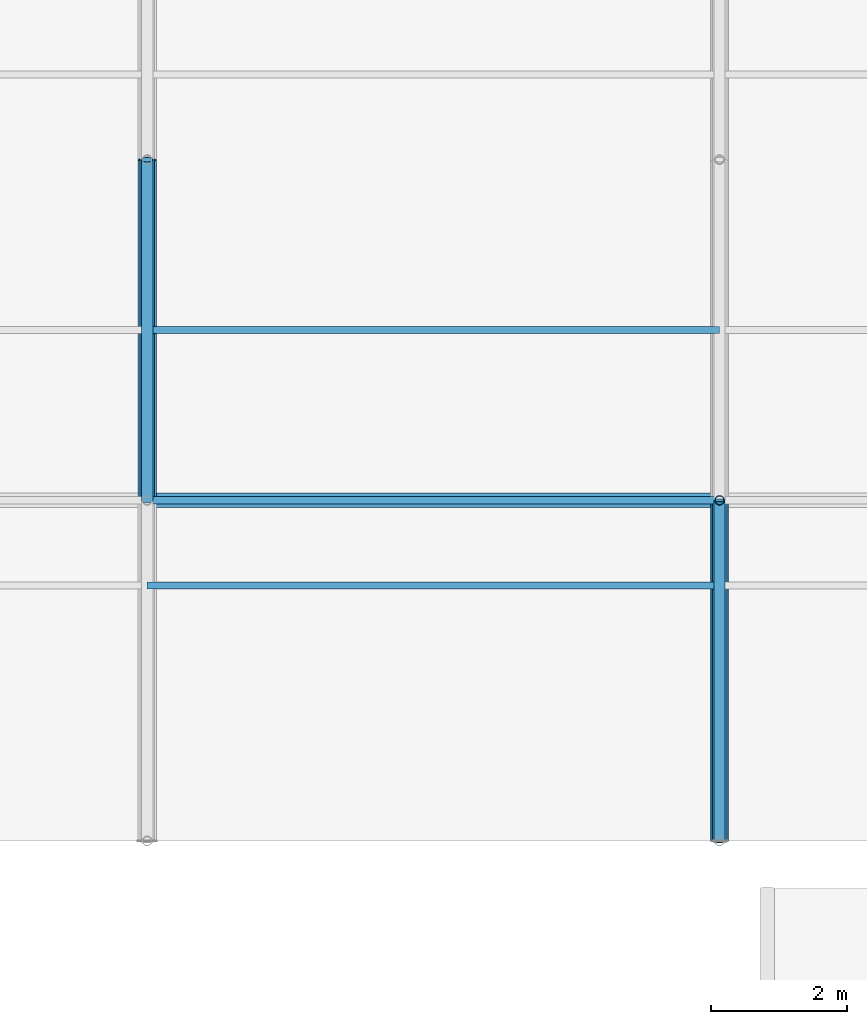
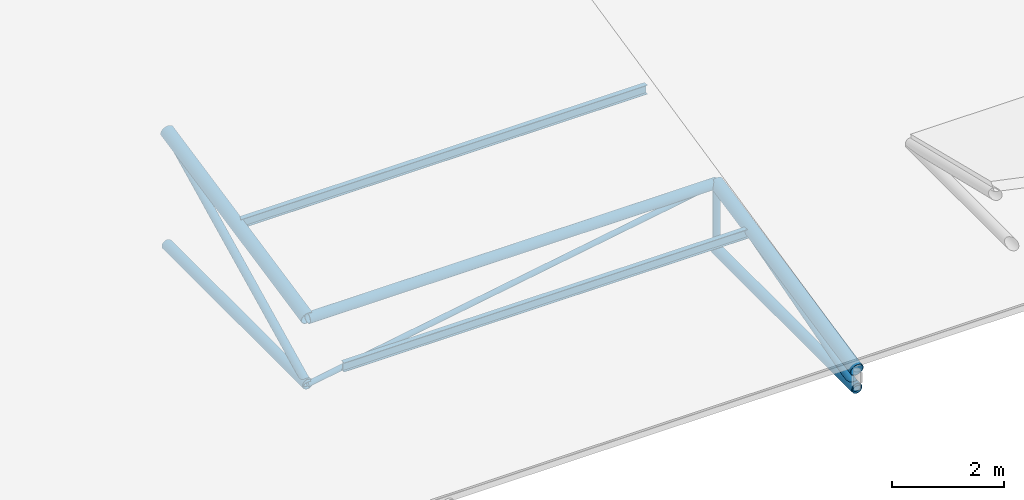
# One storey, part 70 of 194: 9 members, 2 beams.
"""IFC4 building model written with IfcOpenShell, lengths in metres."""

from ifc_helpers import new_model, si_unit, direction, frame, origin, origin_2d, place, context, subcontext, project, spatial, hollow_circle, i_section, extrude, material, material_profile, profile_set, type_object, element, save


model = new_model("IFC4")

# Units and contexts
model_context = context("Model", 3, precision=1e-05, world=origin(), true_north=direction((0.0, 1.0)))
body_context = subcontext(model_context, "Body", "Model", "MODEL_VIEW")
ifc_project = project(units=[si_unit("LENGTHUNIT", "METRE"), si_unit("AREAUNIT", "SQUARE_METRE"), si_unit("VOLUMEUNIT", "CUBIC_METRE"), si_unit("PLANEANGLEUNIT", "RADIAN"), si_unit("MASSUNIT", "GRAM", prefix="KILO")], contexts=[model_context])

# Site, building, storey
site_placement = place(None, origin())
site = spatial("IfcSite", under=ifc_project, at=site_placement, CompositionType="ELEMENT")
building_placement = place(site_placement, origin())
building = spatial("IfcBuilding", under=site, at=building_placement, Name="Kazenagashi Tramway Depot", CompositionType="ELEMENT")
storey_placement = place(building_placement, frame((0.0, 0.0, 23.7)))
storey = spatial("IfcBuildingStorey", under=building, at=storey_placement, Name="ROOF", CompositionType="ELEMENT", Elevation=23.7)

# Beams
ifc_material_1 = material(Name="Steel SN400B", Category="steel")
ifc_material_profile_1 = material_profile(ifc_material_1, i_section(OverallWidth=0.1, OverallDepth=0.2, WebThickness=0.0055, FlangeThickness=0.008, at=origin_2d()), Name="H-200x100x5.5x8")
ifc_profile_set_1 = profile_set([ifc_material_profile_1], Name="Steel SN400B")
beam_type = type_object("IfcBeamType", Name="PR-01", PredefinedType="USERDEFINED", material=ifc_profile_set_1)
for number, where, z_axis, x_axis, name in (
    (1, (137.2, 73.75, -12.955), (1.0, 0.0, 0.0), (0.0, 1.0, 0.0), "Beam PR-01 BM-2029"),
    (2, (137.2, 77.5, -12.13), (1.0, 0.0, 0.0), (0.0, 1.0, 0.0), "Beam PR-01 BM-2047"),
):
    element("IfcBeam", number, at=place(storey_placement, frame(where, z_axis=z_axis, x_axis=x_axis)), inside=storey, type_object=beam_type, Name=name, ObjectType="PURLIN", PredefinedType="USERDEFINED", context=body_context, shape_type="SweptSolid", body=[
        extrude(i_section(OverallWidth=0.1, OverallDepth=0.2, WebThickness=0.0055, FlangeThickness=0.008, at=origin_2d()), origin(), (0.0, 0.0, 1.0), 8.4),
    ])

# Members
ifc_material_2 = material(Name="Steel STK490", Category="steel")
ifc_material_profile_2 = material_profile(ifc_material_2, hollow_circle(Radius=0.1337, WallThickness=0.0093, at=origin_2d()), Name="CHS-267.4x9.3")
ifc_profile_set_2 = profile_set([ifc_material_profile_2], Name="Steel STK490")
member_type_1 = type_object("IfcMemberType", Name="TC-01", PredefinedType="CHORD", material=ifc_profile_set_2)
member_1_placement = place(storey_placement, frame((137.2, 75.0, -12.667), z_axis=(0.0, 0.979279174591, 0.202514933305), x_axis=(-1.0, 0.0, 0.0)))
element("IfcMember", 3, at=member_1_placement, inside=storey, type_object=member_type_1, Name="Tubular Space Frame TC-01 MEM-0675", PredefinedType="CHORD", context=body_context, shape_type="SweptSolid", body=[
    extrude(hollow_circle(Radius=0.1337, WallThickness=0.0093, at=origin_2d()), origin(), (0.0, 0.0, 1.0), 5.105796),
])
member_2_placement = place(storey_placement, frame((145.6, 70.0, -13.7), z_axis=(0.0, 0.979317999984, 0.202327098797), x_axis=(-1.0, 0.0, 0.0)))
element("IfcMember", 4, at=member_2_placement, inside=storey, type_object=member_type_1, Name="Tubular Space Frame TC-01 MEM-0733", PredefinedType="CHORD", context=body_context, shape_type="SweptSolid", body=[
    extrude(hollow_circle(Radius=0.1337, WallThickness=0.0093, at=origin_2d()), origin(), (0.0, 0.0, 1.0), 5.105594),
])
ifc_material_profile_3 = material_profile(ifc_material_2, hollow_circle(Radius=0.10815, WallThickness=0.0082, at=origin_2d()), Name="CHS-216.3x8.2")
ifc_profile_set_3 = profile_set([ifc_material_profile_3], Name="Steel STK490")
member_type_2 = type_object("IfcMemberType", Name="TC-02", PredefinedType="CHORD", material=ifc_profile_set_3)
member_3_placement = place(storey_placement, frame((137.2, 75.0, -14.1), z_axis=(0.0, 1.0, 0.0), x_axis=(-1.0, 0.0, 0.0)))
element("IfcMember", 5, at=member_3_placement, inside=storey, type_object=member_type_2, Name="Tubular Space Frame TC-02 MEM-0676", PredefinedType="CHORD", context=body_context, shape_type="SweptSolid", body=[
    extrude(hollow_circle(Radius=0.10815, WallThickness=0.0082, at=origin_2d()), origin(), (0.0, 0.0, 1.0), 5.0),
])
member_4_placement = place(storey_placement, frame((137.2, 75.0, -12.667), z_axis=(1.0, 0.0, 0.0), x_axis=(0.0, 1.0, 0.0)))
element("IfcMember", 6, at=member_4_placement, inside=storey, type_object=member_type_2, Name="Tubular Space Frame TC-02 MEM-0697", PredefinedType="CHORD", context=body_context, shape_type="SweptSolid", body=[
    extrude(hollow_circle(Radius=0.10815, WallThickness=0.0082, at=origin_2d()), origin(), (0.0, 0.0, 1.0), 8.4),
])
member_5_placement = place(storey_placement, frame((145.6, 70.0, -14.1), z_axis=(0.0, 1.0, 0.0), x_axis=(-1.0, 0.0, 0.0)))
element("IfcMember", 7, at=member_5_placement, inside=storey, type_object=member_type_2, Name="Tubular Space Frame TC-02 MEM-0734", PredefinedType="CHORD", context=body_context, shape_type="SweptSolid", body=[
    extrude(hollow_circle(Radius=0.10815, WallThickness=0.0082, at=origin_2d()), origin(), (0.0, 0.0, 1.0), 5.0),
])
ifc_material_profile_4 = material_profile(ifc_material_2, hollow_circle(Radius=0.0826, WallThickness=0.0071, at=origin_2d()), Name="CHS-165.2x7.1")
ifc_profile_set_4 = profile_set([ifc_material_profile_4], Name="Steel STK490")
member_type_3 = type_object("IfcMemberType", Name="TS-01", PredefinedType="STRUT", material=ifc_profile_set_4)
member_6_placement = place(storey_placement, frame((137.2, 75.0, -14.1), z_axis=(0.0, 0.896782162482, 0.442472318969), x_axis=(-1.0, 0.0, 0.0)))
element("IfcMember", 8, at=member_6_placement, inside=storey, type_object=member_type_3, Name="Tubular Space Frame TS-01 MEM-0677", PredefinedType="STRUT", context=body_context, shape_type="SweptSolid", body=[
    extrude(hollow_circle(Radius=0.0826, WallThickness=0.0071, at=origin_2d()), origin(), (0.0, 0.0, 1.0), 5.57549),
])
member_7_placement = place(storey_placement, frame((145.6, 70.0, -14.1), z_axis=(0.0, 0.961298717795, 0.27550821252), x_axis=(-1.0, 0.0, 0.0)))
element("IfcMember", 9, at=member_7_placement, inside=storey, type_object=member_type_3, Name="Tubular Space Frame TS-01 MEM-0735", PredefinedType="STRUT", context=body_context, shape_type="SweptSolid", body=[
    extrude(hollow_circle(Radius=0.0826, WallThickness=0.0071, at=origin_2d()), origin(), (0.0, 0.0, 1.0), 5.201297),
])
ifc_material_profile_5 = material_profile(ifc_material_2, hollow_circle(Radius=0.0699, WallThickness=0.0066, at=origin_2d()), Name="CHS-139.8x6.6")
ifc_profile_set_5 = profile_set([ifc_material_profile_5], Name="Steel STK490")
member_type_4 = type_object("IfcMemberType", Name="TS-02", PredefinedType="STRUT", material=ifc_profile_set_5)
member_8_placement = place(storey_placement, frame((145.6, 75.0, -14.1), z_axis=(0.0, 0.0, 1.0), x_axis=(1.0, 0.0, 0.0)))
element("IfcMember", 10, at=member_8_placement, inside=storey, type_object=member_type_4, Name="Tubular Space Frame TS-02 MEM-0752", PredefinedType="STRUT", context=body_context, shape_type="SweptSolid", body=[
    extrude(hollow_circle(Radius=0.0699, WallThickness=0.0066, at=origin_2d()), origin(), (0.0, 0.0, 1.0), 1.433),
])
ifc_material_3 = material(Name="Steel STK400", Category="steel")
ifc_material_profile_6 = material_profile(ifc_material_3, hollow_circle(Radius=0.05715, WallThickness=0.0045, at=origin_2d()), Name="CHS-114.3x4.5")
ifc_profile_set_6 = profile_set([ifc_material_profile_6], Name="Steel STK400")
member_type_5 = type_object("IfcMemberType", Name="TS-03", PredefinedType="STRUT", material=ifc_profile_set_6)
member_9_placement = place(storey_placement, frame((137.2, 75.0, -14.1), z_axis=(0.985758734117, 0.0, 0.168165745951), x_axis=(0.0, 1.0, 0.0)))
element("IfcMember", 11, at=member_9_placement, inside=storey, type_object=member_type_5, Name="Tubular Space Frame TS-03 MEM-0698", PredefinedType="STRUT", context=body_context, shape_type="SweptSolid", body=[
    extrude(hollow_circle(Radius=0.05715, WallThickness=0.0045, at=origin_2d()), origin(), (0.0, 0.0, 1.0), 8.521355),
])

save(model, "model.ifc")
